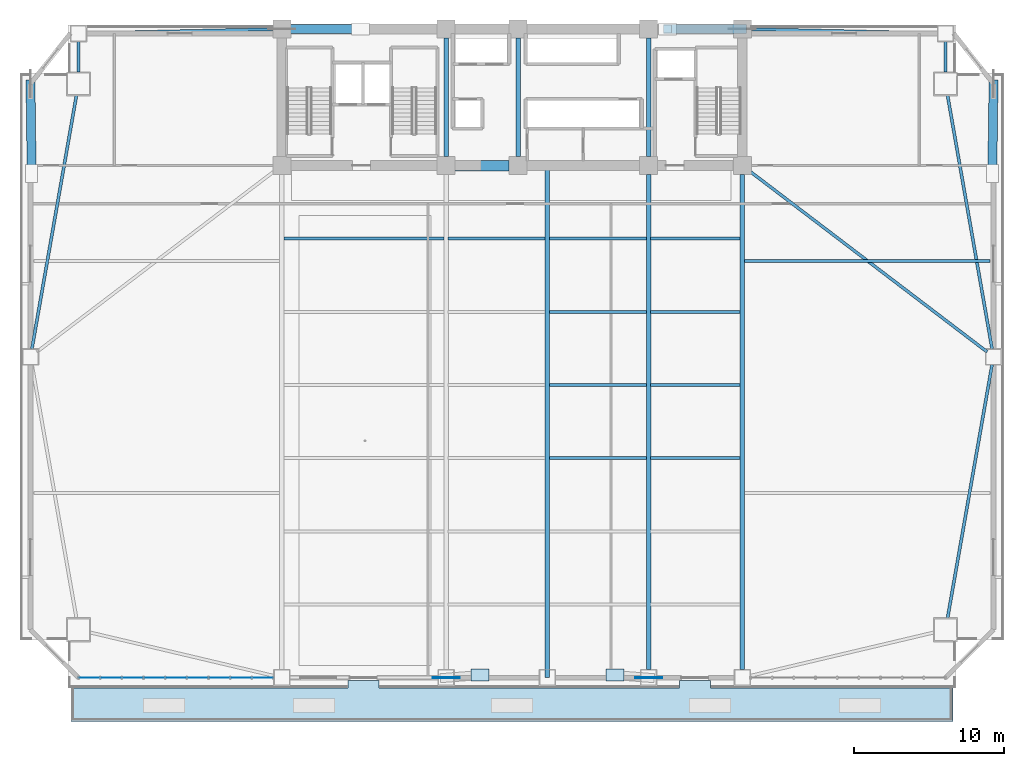
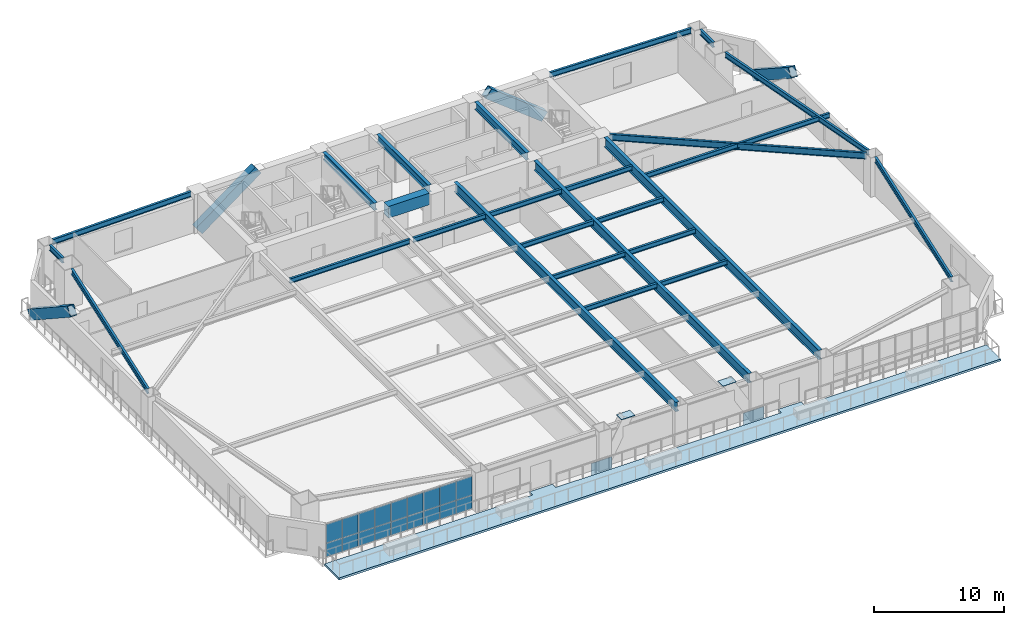
# One storey, part 7 of 17: 26 beams, 22 plates, 4 members, 1 slab, 1 element without a shape of its own.
"""IFC4 building model written with IfcOpenShell, lengths in metres."""

from ifc_helpers import new_model, si_unit, direction, frame, origin, origin_2d, place, context, subcontext, project, spatial, polyline, rectangle, hollow_rectangle, i_section, outline, extrude, source, transform, mapped, material, layer, layer_set, material_profile, profile_set, type_object, element, aggregate, save


model = new_model("IFC4")

# Units and contexts
model_context = context("Model", 3, precision=1e-05, world=origin(), true_north=direction((0.0, 1.0)))
body_context = subcontext(model_context, "Body", "Model", "MODEL_VIEW")
ifc_project = project(units=[si_unit("LENGTHUNIT", "METRE"), si_unit("AREAUNIT", "SQUARE_METRE"), si_unit("VOLUMEUNIT", "CUBIC_METRE"), si_unit("PLANEANGLEUNIT", "RADIAN"), si_unit("MASSUNIT", "GRAM", prefix="KILO")], contexts=[model_context])

# Site, building, storey
site_placement = place(None, origin())
site = spatial("IfcSite", under=ifc_project, at=site_placement, CompositionType="ELEMENT")
building_placement = place(site_placement, origin())
building = spatial("IfcBuilding", under=site, at=building_placement, Name="Giltprow Tower", CompositionType="ELEMENT")
storey_placement = place(building_placement, frame((0.0, 0.0, 25.39990234375)))
storey = spatial("IfcBuildingStorey", under=building, at=storey_placement, Name="L06", CompositionType="ELEMENT", Elevation=25.39990234375)

# Beams
ifc_material_1 = material(Name="Concrete C60", Category="concrete")
ifc_material_profile_1 = material_profile(ifc_material_1, rectangle(XDim=0.699951171875, YDim=1.10009765625, at=origin_2d()), Name="RC 1100x700")
ifc_profile_set_1 = profile_set([ifc_material_profile_1], Name="Concrete C60")
beam_type_1 = type_object("IfcBeamType", Name="BM-CPL-RC1100", PredefinedType="LINTEL", material=ifc_profile_set_1)
shared_shape_1 = source(origin(), body_context, "Body", "SweptSolid", [
    extrude(rectangle(XDim=0.699951171875, YDim=1.10009765625, at=origin_2d()), origin(), (0.0, 0.0, 1.0), 3.6298828125),
])
beam_1_placement = place(storey_placement, frame((31.385009765625, 37.449951171875, 3.130126953125), z_axis=(1.0, 0.0, 0.0), x_axis=(0.0, 1.0, 0.0)))
element("IfcBeam", 1, at=beam_1_placement, inside=storey, type_object=beam_type_1, Name="L06 Core Coupling Beam CB-1", PredefinedType="LINTEL", context=body_context, shape_type="MappedRepresentation", body=[
    mapped(shared_shape_1, transform((0.0, 0.0, 0.0), x_axis=(1.0, 0.0, 0.0), y_axis=(0.0, 1.0, 0.0), z_axis=(0.0, 0.0, 1.0), scale=1.0)),
])
ifc_material_2 = material(Name="Structural steel Q355B", Category="steel")
ifc_material_profile_2 = material_profile(ifc_material_2, i_section(OverallWidth=0.300048828125, OverallDepth=0.699951171875, WebThickness=0.012939453125, FlangeThickness=0.02392578125, at=origin_2d()), Name="HN 700x300x13x24")
ifc_profile_set_2 = profile_set([ifc_material_profile_2], Name="Structural steel Q355B")
beam_type_2 = type_object("IfcBeamType", Name="BM-GIRD-HN700", PredefinedType="BEAM", material=ifc_profile_set_2)
shared_shape_2 = source(origin(), body_context, "Body", "SweptSolid", [
    extrude(i_section(OverallWidth=0.300048828125, OverallDepth=0.699951171875, WebThickness=0.012939453125, FlangeThickness=0.02392578125, at=origin_2d()), origin(), (0.0, 0.0, 1.0), 7.93017578125),
])
for number, where, z_axis, x_axis, name in (
    (2, (30.800048828125, 38.034912109375, 3.330078125), (0.0, 1.0, 0.0), (-1.0, 0.0, 0.0), "L06 Core Tie Girder M1"),
    (3, (35.60009765625, 38.034912109375, 3.330078125), (0.0, 1.0, 0.0), (-1.0, 0.0, 0.0), "L06 Core Tie Girder M2"),
    (4, (44.300048828125, 38.034912109375, 3.330078125), (0.0, 1.0, 0.0), (-1.0, 0.0, 0.0), "L06 Core Tie Girder M3"),
):
    element("IfcBeam", number, at=place(storey_placement, frame(where, z_axis=z_axis, x_axis=x_axis)), inside=storey, type_object=beam_type_2, Name=name, PredefinedType="BEAM", context=body_context, shape_type="MappedRepresentation", body=[
        mapped(shared_shape_2, transform((0.0, 0.0, 0.0), x_axis=(1.0, 0.0, 0.0), y_axis=(0.0, 1.0, 0.0), z_axis=(0.0, 0.0, 1.0), scale=1.0)),
    ])
ifc_material_profile_3 = material_profile(ifc_material_2, i_section(OverallWidth=0.199951171875, OverallDepth=0.5, WebThickness=0.010009765625, FlangeThickness=0.01611328125, at=origin_2d()), Name="HN 500x200x10x16")
ifc_profile_set_3 = profile_set([ifc_material_profile_3], Name="Structural steel Q355B")
beam_type_3 = type_object("IfcBeamType", Name="BM-SPAN-HN500", PredefinedType="SPANDREL", material=ifc_profile_set_3)
shared_shape_3 = source(origin(), body_context, "Body", "SweptSolid", [
    extrude(i_section(OverallWidth=0.199951171875, OverallDepth=0.5, WebThickness=0.010009765625, FlangeThickness=0.01611328125, at=origin_2d()), origin(), (0.0, 0.0, 1.0), 17.1591796875),
])
beam_2_placement = place(storey_placement, frame((64.236083984375, 7.27294921875, 3.43017578125), z_axis=(0.173139216532, 0.984897360997, 0.0), x_axis=(-0.984897360997, 0.173139216532, 0.0)))
element("IfcBeam", 5, at=beam_2_placement, inside=storey, type_object=beam_type_3, Name="L06 Perimeter Spandrel Beam MC_SE-E_MID", PredefinedType="SPANDREL", context=body_context, shape_type="MappedRepresentation", body=[
    mapped(shared_shape_3, transform((0.0, 0.0, 0.0), x_axis=(1.0, 0.0, 0.0), y_axis=(0.0, 1.0, 0.0), z_axis=(0.0, 0.0, 1.0), scale=1.0)),
])
shared_shape_4 = source(origin(), body_context, "Body", "SweptSolid", [
    extrude(i_section(OverallWidth=0.199951171875, OverallDepth=0.5, WebThickness=0.010009765625, FlangeThickness=0.01611328125, at=origin_2d()), origin(), (0.0, 0.0, 1.0), 17.158935546875),
])
for number, where, z_axis, x_axis, name in (
    (6, (67.20703125, 25.22705078125, 3.43017578125), (-0.173141642767, 0.984896934476, 0.0), (-0.984896934476, -0.173141642767, 0.0), "L06 Perimeter Spandrel Beam E_MID-MC_NE"),
    (7, (6.1640625, 42.126953125, 3.43017578125), (-0.173141642767, -0.984896934476, 0.0), (0.984896934476, -0.173141642767, 0.0), "L06 Perimeter Spandrel Beam MC_NW-W_MID"),
):
    element("IfcBeam", number, at=place(storey_placement, frame(where, z_axis=z_axis, x_axis=x_axis)), inside=storey, type_object=beam_type_3, Name=name, PredefinedType="SPANDREL", context=body_context, shape_type="MappedRepresentation", body=[
        mapped(shared_shape_4, transform((0.0, 0.0, 0.0), x_axis=(1.0, 0.0, 0.0), y_axis=(0.0, 1.0, 0.0), z_axis=(0.0, 0.0, 1.0), scale=1.0)),
    ])
shared_shape_5 = source(origin(), body_context, "Body", "SweptSolid", [
    extrude(i_section(OverallWidth=0.199951171875, OverallDepth=0.5, WebThickness=0.010009765625, FlangeThickness=0.01611328125, at=origin_2d()), origin(), (0.0, 0.0, 1.0), 2.030029296875),
])
for number, where, z_axis, x_axis, name in (
    (8, (64.10009765625, 43.68505859375, 3.43017578125), (0.0, 1.0, 0.0), (-1.0, 0.0, 0.0), "L06 Perimeter Spandrel Beam MC_NE-N_E"),
    (9, (6.300048828125, 45.715087890625, 3.43017578125), (0.0, -1.0, 0.0), (1.0, 0.0, 0.0), "L06 Perimeter Spandrel Beam N_W-MC_NW"),
):
    element("IfcBeam", number, at=place(storey_placement, frame(where, z_axis=z_axis, x_axis=x_axis)), inside=storey, type_object=beam_type_3, Name=name, PredefinedType="SPANDREL", context=body_context, shape_type="MappedRepresentation", body=[
        mapped(shared_shape_5, transform((0.0, 0.0, 0.0), x_axis=(1.0, 0.0, 0.0), y_axis=(0.0, 1.0, 0.0), z_axis=(0.0, 0.0, 1.0), scale=1.0)),
    ])
shared_shape_6 = source(origin(), body_context, "Body", "SweptSolid", [
    extrude(i_section(OverallWidth=0.199951171875, OverallDepth=0.5, WebThickness=0.010009765625, FlangeThickness=0.01611328125, at=origin_2d()), origin(), (0.0, 0.0, 1.0), 12.432861328125),
])
for number, where, z_axis, x_axis, name in (
    (10, (6.8349609375, 46.261962890625, 3.43017578125), (0.999755093171, 0.022130379078, 0.0), (-0.022130379078, 0.999755093171, 0.0), "L06 North Wing Spandrel W"),
    (11, (51.135009765625, 46.537109375, 3.43017578125), (0.999755093171, -0.022130379078, 0.0), (0.022130379078, 0.999755093171, 0.0), "L06 North Wing Spandrel E"),
):
    element("IfcBeam", number, at=place(storey_placement, frame(where, z_axis=z_axis, x_axis=x_axis)), inside=storey, type_object=beam_type_3, Name=name, PredefinedType="SPANDREL", context=body_context, shape_type="MappedRepresentation", body=[
        mapped(shared_shape_6, transform((0.0, 0.0, 0.0), x_axis=(1.0, 0.0, 0.0), y_axis=(0.0, 1.0, 0.0), z_axis=(0.0, 0.0, 1.0), scale=1.0)),
    ])
ifc_material_profile_4 = material_profile(ifc_material_2, i_section(OverallWidth=0.300048828125, OverallDepth=0.89990234375, WebThickness=0.01611328125, FlangeThickness=0.028076171875, at=origin_2d()), Name="HN 900x300x16x28")
ifc_profile_set_4 = profile_set([ifc_material_profile_4], Name="Structural steel Q355B")
beam_type_4 = type_object("IfcBeamType", Name="BM-GIRD-HN900", PredefinedType="BEAM", material=ifc_profile_set_4)
shared_shape_7 = source(origin(), body_context, "Body", "SweptSolid", [
    extrude(i_section(OverallWidth=0.300048828125, OverallDepth=0.89990234375, WebThickness=0.01611328125, FlangeThickness=0.028076171875, at=origin_2d()), origin(), (0.0, 0.0, 1.0), 33.030029296875),
])
for number, where, z_axis, x_axis, name in (
    (12, (44.300048828125, 3.8349609375, 3.22998046875), (0.0, 1.0, 0.0), (-1.0, 0.0, 0.0), "L06 Primary Lease Girder S3"),
    (13, (50.550048828125, 3.8349609375, 3.22998046875), (0.0, 1.0, 0.0), (-1.0, 0.0, 0.0), "L06 Primary Lease Girder S4"),
):
    element("IfcBeam", number, at=place(storey_placement, frame(where, z_axis=z_axis, x_axis=x_axis)), inside=storey, type_object=beam_type_4, Name=name, PredefinedType="BEAM", context=body_context, shape_type="MappedRepresentation", body=[
        mapped(shared_shape_7, transform((0.0, 0.0, 0.0), x_axis=(1.0, 0.0, 0.0), y_axis=(0.0, 1.0, 0.0), z_axis=(0.0, 0.0, 1.0), scale=1.0)),
    ])
shared_shape_8 = source(origin(), body_context, "Body", "SweptSolid", [
    extrude(i_section(OverallWidth=0.300048828125, OverallDepth=0.89990234375, WebThickness=0.01611328125, FlangeThickness=0.028076171875, at=origin_2d()), origin(), (0.0, 0.0, 1.0), 34.14990234375),
])
beam_3_placement = place(storey_placement, frame((37.550048828125, 3.300048828125, 3.22998046875), z_axis=(0.0, 1.0, 0.0), x_axis=(-1.0, 0.0, 0.0)))
element("IfcBeam", 14, at=beam_3_placement, inside=storey, type_object=beam_type_4, Name="L06 Central Lease Girder SMID", PredefinedType="BEAM", context=body_context, shape_type="MappedRepresentation", body=[
    mapped(shared_shape_8, transform((0.0, 0.0, 0.0), x_axis=(1.0, 0.0, 0.0), y_axis=(0.0, 1.0, 0.0), z_axis=(0.0, 0.0, 1.0), scale=1.0)),
])
ifc_material_profile_5 = material_profile(ifc_material_2, i_section(OverallWidth=0.199951171875, OverallDepth=0.60009765625, WebThickness=0.010986328125, FlangeThickness=0.01708984375, at=origin_2d()), Name="HN 600x200x11x17")
ifc_profile_set_5 = profile_set([ifc_material_profile_5], Name="Structural steel Q355B")
beam_type_5 = type_object("IfcBeamType", Name="BM-GIRD-HN600", PredefinedType="BEAM", material=ifc_profile_set_5)
shared_shape_9 = source(origin(), body_context, "Body", "SweptSolid", [
    extrude(i_section(OverallWidth=0.199951171875, OverallDepth=0.60009765625, WebThickness=0.010986328125, FlangeThickness=0.01708984375, at=origin_2d()), origin(), (0.0, 0.0, 1.0), 19.930908203125),
])
beam_4_placement = place(storey_placement, frame((66.8740234375, 25.02392578125, 3.380126953125), z_axis=(-0.795700739064, 0.605689965124, 0.0), x_axis=(-0.605689965124, -0.795700739064, 0.0)))
element("IfcBeam", 15, at=beam_4_placement, inside=storey, type_object=beam_type_5, Name="L06 East Wing Primary Girder", PredefinedType="BEAM", context=body_context, shape_type="MappedRepresentation", body=[
    mapped(shared_shape_9, transform((0.0, 0.0, 0.0), x_axis=(1.0, 0.0, 0.0), y_axis=(0.0, 1.0, 0.0), z_axis=(0.0, 0.0, 1.0), scale=1.0)),
])
ifc_material_profile_6 = material_profile(ifc_material_2, i_section(OverallWidth=0.199951171875, OverallDepth=0.449951171875, WebThickness=0.009033203125, FlangeThickness=0.013916015625, at=origin_2d()), Name="HN 450x200x9x14")
ifc_profile_set_6 = profile_set([ifc_material_profile_6], Name="Structural steel Q355B")
beam_type_6 = type_object("IfcBeamType", Name="BM-JOIST-HN450", PredefinedType="JOIST", material=ifc_profile_set_6)
shared_shape_10 = source(origin(), body_context, "Body", "SweptSolid", [
    extrude(i_section(OverallWidth=0.199951171875, OverallDepth=0.449951171875, WebThickness=0.009033203125, FlangeThickness=0.013916015625, at=origin_2d()), origin(), (0.0, 0.0, 1.0), 10.659912109375),
])
beam_5_placement = place(storey_placement, frame((19.9951171875, 32.571044921875, 3.455078125), z_axis=(1.0, 0.0, 0.0), x_axis=(0.0, 1.0, 0.0)))
element("IfcBeam", 16, at=beam_5_placement, inside=storey, type_object=beam_type_6, Name="L06 Composite Floor Joist 6-1", PredefinedType="JOIST", context=body_context, shape_type="MappedRepresentation", body=[
    mapped(shared_shape_10, transform((0.0, 0.0, 0.0), x_axis=(1.0, 0.0, 0.0), y_axis=(0.0, 1.0, 0.0), z_axis=(0.0, 0.0, 1.0), scale=1.0)),
])
shared_shape_11 = source(origin(), body_context, "Body", "SweptSolid", [
    extrude(i_section(OverallWidth=0.199951171875, OverallDepth=0.449951171875, WebThickness=0.009033203125, FlangeThickness=0.013916015625, at=origin_2d()), origin(), (0.0, 0.0, 1.0), 6.4599609375),
])
for number, where, z_axis, x_axis, name in (
    (17, (37.695068359375, 17.93603515625, 3.455078125), (1.0, 0.0, 0.0), (0.0, 1.0, 0.0), "L06 Composite Floor Joist 3-3"),
    (18, (37.695068359375, 22.81396484375, 3.455078125), (1.0, 0.0, 0.0), (0.0, 1.0, 0.0), "L06 Composite Floor Joist 4-3"),
    (19, (37.695068359375, 27.693115234375, 3.455078125), (1.0, 0.0, 0.0), (0.0, 1.0, 0.0), "L06 Composite Floor Joist 5-3"),
    (20, (30.945068359375, 32.571044921875, 3.455078125), (1.0, 0.0, 0.0), (0.0, 1.0, 0.0), "L06 Composite Floor Joist 6-2"),
    (21, (37.695068359375, 32.571044921875, 3.455078125), (1.0, 0.0, 0.0), (0.0, 1.0, 0.0), "L06 Composite Floor Joist 6-3"),
):
    element("IfcBeam", number, at=place(storey_placement, frame(where, z_axis=z_axis, x_axis=x_axis)), inside=storey, type_object=beam_type_6, Name=name, PredefinedType="JOIST", context=body_context, shape_type="MappedRepresentation", body=[
        mapped(shared_shape_11, transform((0.0, 0.0, 0.0), x_axis=(1.0, 0.0, 0.0), y_axis=(0.0, 1.0, 0.0), z_axis=(0.0, 0.0, 1.0), scale=1.0)),
    ])
shared_shape_12 = source(origin(), body_context, "Body", "SweptSolid", [
    extrude(i_section(OverallWidth=0.199951171875, OverallDepth=0.449951171875, WebThickness=0.009033203125, FlangeThickness=0.013916015625, at=origin_2d()), origin(), (0.0, 0.0, 1.0), 5.9599609375),
])
for number, where, z_axis, x_axis, name in (
    (22, (44.445068359375, 17.93603515625, 3.455078125), (1.0, 0.0, 0.0), (0.0, 1.0, 0.0), "L06 Composite Floor Joist 3-4"),
    (23, (44.445068359375, 22.81396484375, 3.455078125), (1.0, 0.0, 0.0), (0.0, 1.0, 0.0), "L06 Composite Floor Joist 4-4"),
    (24, (44.445068359375, 27.693115234375, 3.455078125), (1.0, 0.0, 0.0), (0.0, 1.0, 0.0), "L06 Composite Floor Joist 5-4"),
    (25, (44.445068359375, 32.571044921875, 3.455078125), (1.0, 0.0, 0.0), (0.0, 1.0, 0.0), "L06 Composite Floor Joist 6-4"),
):
    element("IfcBeam", number, at=place(storey_placement, frame(where, z_axis=z_axis, x_axis=x_axis)), inside=storey, type_object=beam_type_6, Name=name, PredefinedType="JOIST", context=body_context, shape_type="MappedRepresentation", body=[
        mapped(shared_shape_12, transform((0.0, 0.0, 0.0), x_axis=(1.0, 0.0, 0.0), y_axis=(0.0, 1.0, 0.0), z_axis=(0.0, 0.0, 1.0), scale=1.0)),
    ])
shared_shape_13 = source(origin(), body_context, "Body", "SweptSolid", [
    extrude(i_section(OverallWidth=0.199951171875, OverallDepth=0.449951171875, WebThickness=0.009033203125, FlangeThickness=0.013916015625, at=origin_2d()), origin(), (0.0, 0.0, 1.0), 16.385009765625),
])
beam_6_placement = place(storey_placement, frame((50.695068359375, 31.074951171875, 3.455078125), z_axis=(1.0, 0.0, 0.0), x_axis=(0.0, 1.0, 0.0)))
element("IfcBeam", 26, at=beam_6_placement, inside=storey, type_object=beam_type_6, Name="L06 East Wing Floor Joist 2", PredefinedType="JOIST", context=body_context, shape_type="MappedRepresentation", body=[
    mapped(shared_shape_13, transform((0.0, 0.0, 0.0), x_axis=(1.0, 0.0, 0.0), y_axis=(0.0, 1.0, 0.0), z_axis=(0.0, 0.0, 1.0), scale=1.0)),
])

# Members
ifc_material_3 = material(Name="Structural steel Q420GJC", Category="steel")
ifc_material_profile_7 = material_profile(ifc_material_3, hollow_rectangle(XDim=0.60009765625, YDim=0.89990234375, WallThickness=0.0400390625, at=origin_2d()), Name="RHS 900x600x40")
ifc_profile_set_7 = profile_set([ifc_material_profile_7], Name="Structural steel Q420GJC")
member_type = type_object("IfcMemberType", Name="MBR-MEGA-RHS900", PredefinedType="BRACE", material=ifc_profile_set_7)
shared_shape_14 = source(origin(), body_context, "Body", "SweptSolid", [
    extrude(hollow_rectangle(XDim=0.60009765625, YDim=0.89990234375, WallThickness=0.0400390625, at=origin_2d()), origin(), (0.0, 0.0, 1.0), 6.5400390625),
])
member_1_placement = place(storey_placement, frame((19.85009765625, 46.550048828125, -0.139892578125), z_axis=(0.802750995836, 0.0, 0.596314379068), x_axis=(0.0, 1.0, 0.0)))
element("IfcMember", 27, at=member_1_placement, inside=storey, type_object=member_type, Name="L06 Chevron Mega-Brace N-L", PredefinedType="BRACE", context=body_context, shape_type="MappedRepresentation", body=[
    mapped(shared_shape_14, transform((0.0, 0.0, 0.0), x_axis=(1.0, 0.0, 0.0), y_axis=(0.0, 1.0, 0.0), z_axis=(0.0, 0.0, 1.0), scale=1.0)),
])
shared_shape_15 = source(origin(), body_context, "Body", "SweptSolid", [
    extrude(hollow_rectangle(XDim=0.60009765625, YDim=0.89990234375, WallThickness=0.0400390625, at=origin_2d()), origin(), (0.0, 0.0, 1.0), 6.327880859375),
])
member_2_placement = place(storey_placement, frame((50.550048828125, 46.550048828125, -0.139892578125), z_axis=(-0.787501744349, 0.0, 0.616312422921), x_axis=(0.0, -1.0, 0.0)))
element("IfcMember", 28, at=member_2_placement, inside=storey, type_object=member_type, Name="L06 Chevron Mega-Brace N-R", PredefinedType="BRACE", context=body_context, shape_type="MappedRepresentation", body=[
    mapped(shared_shape_15, transform((0.0, 0.0, 0.0), x_axis=(1.0, 0.0, 0.0), y_axis=(0.0, 1.0, 0.0), z_axis=(0.0, 0.0, 1.0), scale=1.0)),
])
shared_shape_16 = source(origin(), body_context, "Body", "SweptSolid", [
    extrude(hollow_rectangle(XDim=0.60009765625, YDim=0.89990234375, WallThickness=0.0400390625, at=origin_2d()), origin(), (0.0, 0.0, 1.0), 7.138916015625),
])
for number, where, z_axis, x_axis, name in (
    (29, (3.10009765625, 42.89990234375, 0.0), (0.01090917118, -0.837509724766, 0.546313509724), (0.999915176041, 0.013024619892, 0.0), "L06 Chevron Mega-Brace W-R"),
    (30, (67.300048828125, 42.89990234375, 0.0), (-0.01094336512, -0.837509411825, 0.54631330559), (0.999914643464, -0.013065442463, 0.0), "L06 Chevron Mega-Brace E-R"),
):
    element("IfcMember", number, at=place(storey_placement, frame(where, z_axis=z_axis, x_axis=x_axis)), inside=storey, type_object=member_type, Name=name, PredefinedType="BRACE", context=body_context, shape_type="MappedRepresentation", body=[
        mapped(shared_shape_16, transform((0.0, 0.0, 0.0), x_axis=(1.0, 0.0, 0.0), y_axis=(0.0, 1.0, 0.0), z_axis=(0.0, 0.0, 1.0), scale=1.0)),
    ])

# Slab
ifc_material_4 = material(Name="Concrete C40", Category="concrete")
ifc_layer_1 = layer(ifc_material_4, 0.199951171875, Name="Concrete C40")
ifc_layer_set_1 = layer_set([ifc_layer_1], Name="Concrete C40")
slab_type = type_object("IfcSlabType", Name="SLB-TERR-EXT-200", PredefinedType="FLOOR", material=ifc_layer_set_1)
slab_placement = place(storey_placement, frame((0.0, 0.0, -0.199951171875)))
element("IfcSlab", 31, at=slab_placement, inside=storey, type_object=slab_type, Name="L06 Waterfront Podium Roof Terrace", PredefinedType="FLOOR", context=body_context, shape_type="SweptSolid", body=[
    extrude(outline(polyline([(64.60009765625, 2.60009765625), (64.60009765625, 0.39990234375), (5.800048828125, 0.39990234375), (5.800048828125, 2.60009765625), (24.280029296875, 2.60009765625), (24.280029296875, 3.10009765625), (26.320068359375, 3.10009765625), (26.320068359375, 2.60009765625), (46.3798828125, 2.60009765625), (46.3798828125, 3.10009765625), (48.419921875, 3.10009765625), (48.419921875, 2.60009765625), (64.60009765625, 2.60009765625)])), origin(), (0.0, 0.0, 1.0), 0.199951171875),
])

# Plates
plate_type_1 = type_object("IfcPlateType", Name="PLT-NODE-MBN1", PredefinedType="USERDEFINED", material=ifc_material_3)
shared_shape_17 = source(origin(), body_context, "Body", "SweptSolid", [
    extrude(rectangle(XDim=1.800048828125, YDim=0.050048828125, at=origin_2d()), origin(), (0.0, 0.0, 1.0), 1.14990234375),
])
for number, where, z_axis, x_axis, name in (
    (32, (30.800048828125, 3.300048828125, -0.574951171875), (0.0, 0.0, 1.0), (1.0, 0.0, 0.0), "Mega-Brace Node L06-S-LA"),
    (33, (44.300048828125, 3.300048828125, -0.574951171875), (0.0, 0.0, 1.0), (1.0, 0.0, 0.0), "Mega-Brace Node L06-S-RA"),
):
    element("IfcPlate", number, at=place(storey_placement, frame(where, z_axis=z_axis, x_axis=x_axis)), inside=storey, type_object=plate_type_1, Name=name, ObjectType="GUSSET", PredefinedType="USERDEFINED", context=body_context, shape_type="MappedRepresentation", body=[
        mapped(shared_shape_17, transform((0.0, 0.0, 0.0), x_axis=(1.0, 0.0, 0.0), y_axis=(0.0, 1.0, 0.0), z_axis=(0.0, 0.0, 1.0), scale=1.0)),
    ])
plate_type_2 = type_object("IfcPlateType", Name="PLT-CAP-SEAL", PredefinedType="USERDEFINED", material=ifc_material_3)
shared_shape_18 = source(origin(), body_context, "Body", "SweptSolid", [
    extrude(rectangle(XDim=1.199951171875, YDim=0.800048828125, at=origin_2d()), origin(), (0.0, 0.0, 1.0), 0.034912109375),
])
for number, where, z_axis, x_axis, name in (
    (34, (33.050048828125, 3.47607421875, 3.8828125), (0.0, 0.0, 1.0), (1.0, 0.0, 0.0), "Mega-Brace Node L06-S-LB"),
    (35, (42.050048828125, 3.47607421875, 3.8828125), (0.0, 0.0, 1.0), (1.0, 0.0, 0.0), "Mega-Brace Node L06-S-RB"),
):
    element("IfcPlate", number, at=place(storey_placement, frame(where, z_axis=z_axis, x_axis=x_axis)), inside=storey, type_object=plate_type_2, Name=name, ObjectType="SPLICE", PredefinedType="USERDEFINED", context=body_context, shape_type="MappedRepresentation", body=[
        mapped(shared_shape_18, transform((0.0, 0.0, 0.0), x_axis=(1.0, 0.0, 0.0), y_axis=(0.0, 1.0, 0.0), z_axis=(0.0, 0.0, 1.0), scale=1.0)),
    ])

# Curtain wall, plates
ifc_material_5 = material(Name="Anodized bronze", Category="metal")
ifc_layer_2 = layer(ifc_material_5, 0.179931640625, Name="Anodized bronze")
ifc_layer_set_2 = layer_set([ifc_layer_2], Name="Anodized bronze")
curtain_wall_type = type_object("IfcCurtainWallType", Name="CW-SKYGARDEN", PredefinedType="NOTDEFINED", material=ifc_layer_set_2)
curtain_wall_placement = place(storey_placement, origin())
curtain_wall = element("IfcCurtainWall", 36, at=curtain_wall_placement, inside=storey, type_object=curtain_wall_type, Name="L06 South Recessed Curtain Wall 1", PredefinedType="NOTDEFINED")
ifc_material_6 = material(Name="Insulated glass", Category="glass")
plate_type_3 = type_object("IfcPlateType", Name="CW-PANEL-IGU-28", PredefinedType="CURTAIN_PANEL", material=ifc_material_6)
shared_shape_19 = source(origin(), body_context, "Body", "SweptSolid", [
    extrude(rectangle(XDim=1.4140625, YDim=0.028076171875, at=origin_2d()), origin(), (0.0, 0.0, 1.0), 1.259033203125),
])
plate_1_placement = place(storey_placement, frame((7.02197265625, 3.300048828125, 0.0546875), z_axis=(0.0, 0.0, 1.0), x_axis=(1.0, 0.0, 0.0)))
plate_1 = element("IfcPlate", 37, at=plate_1_placement, type_object=plate_type_3, Name="L06 South Recessed Curtain Wall 1 Glazing Panel 1-1", PredefinedType="CURTAIN_PANEL", context=body_context, shape_type="MappedRepresentation", body=[
    mapped(shared_shape_19, transform((0.0, 0.0, 0.0), x_axis=(1.0, 0.0, 0.0), y_axis=(0.0, 1.0, 0.0), z_axis=(0.0, 0.0, 1.0), scale=1.0)),
])
plate_2_placement = place(storey_placement, frame((8.467041015625, 3.300048828125, 0.0546875), z_axis=(0.0, 0.0, 1.0), x_axis=(1.0, 0.0, 0.0)))
plate_2 = element("IfcPlate", 38, at=plate_2_placement, type_object=plate_type_3, Name="L06 South Recessed Curtain Wall 1 Glazing Panel 2-1", PredefinedType="CURTAIN_PANEL", context=body_context, shape_type="MappedRepresentation", body=[
    mapped(shared_shape_19, transform((0.0, 0.0, 0.0), x_axis=(1.0, 0.0, 0.0), y_axis=(0.0, 1.0, 0.0), z_axis=(0.0, 0.0, 1.0), scale=1.0)),
])
plate_3_placement = place(storey_placement, frame((9.910888671875, 3.300048828125, 0.0546875), z_axis=(0.0, 0.0, 1.0), x_axis=(1.0, 0.0, 0.0)))
plate_3 = element("IfcPlate", 39, at=plate_3_placement, type_object=plate_type_3, Name="L06 South Recessed Curtain Wall 1 Glazing Panel 3-1", PredefinedType="CURTAIN_PANEL", context=body_context, shape_type="MappedRepresentation", body=[
    mapped(shared_shape_19, transform((0.0, 0.0, 0.0), x_axis=(1.0, 0.0, 0.0), y_axis=(0.0, 1.0, 0.0), z_axis=(0.0, 0.0, 1.0), scale=1.0)),
])
plate_4_placement = place(storey_placement, frame((11.35595703125, 3.300048828125, 0.0546875), z_axis=(0.0, 0.0, 1.0), x_axis=(1.0, 0.0, 0.0)))
plate_4 = element("IfcPlate", 40, at=plate_4_placement, type_object=plate_type_3, Name="L06 South Recessed Curtain Wall 1 Glazing Panel 4-1", PredefinedType="CURTAIN_PANEL", context=body_context, shape_type="MappedRepresentation", body=[
    mapped(shared_shape_19, transform((0.0, 0.0, 0.0), x_axis=(1.0, 0.0, 0.0), y_axis=(0.0, 1.0, 0.0), z_axis=(0.0, 0.0, 1.0), scale=1.0)),
])
plate_5_placement = place(storey_placement, frame((12.800048828125, 3.300048828125, 0.0546875), z_axis=(0.0, 0.0, 1.0), x_axis=(1.0, 0.0, 0.0)))
plate_5 = element("IfcPlate", 41, at=plate_5_placement, type_object=plate_type_3, Name="L06 South Recessed Curtain Wall 1 Glazing Panel 5-1", PredefinedType="CURTAIN_PANEL", context=body_context, shape_type="MappedRepresentation", body=[
    mapped(shared_shape_19, transform((0.0, 0.0, 0.0), x_axis=(1.0, 0.0, 0.0), y_axis=(0.0, 1.0, 0.0), z_axis=(0.0, 0.0, 1.0), scale=1.0)),
])
plate_6_placement = place(storey_placement, frame((14.243896484375, 3.300048828125, 0.0546875), z_axis=(0.0, 0.0, 1.0), x_axis=(1.0, 0.0, 0.0)))
plate_6 = element("IfcPlate", 42, at=plate_6_placement, type_object=plate_type_3, Name="L06 South Recessed Curtain Wall 1 Glazing Panel 6-1", PredefinedType="CURTAIN_PANEL", context=body_context, shape_type="MappedRepresentation", body=[
    mapped(shared_shape_19, transform((0.0, 0.0, 0.0), x_axis=(1.0, 0.0, 0.0), y_axis=(0.0, 1.0, 0.0), z_axis=(0.0, 0.0, 1.0), scale=1.0)),
])
plate_7_placement = place(storey_placement, frame((15.68896484375, 3.300048828125, 0.0546875), z_axis=(0.0, 0.0, 1.0), x_axis=(1.0, 0.0, 0.0)))
plate_7 = element("IfcPlate", 43, at=plate_7_placement, type_object=plate_type_3, Name="L06 South Recessed Curtain Wall 1 Glazing Panel 7-1", PredefinedType="CURTAIN_PANEL", context=body_context, shape_type="MappedRepresentation", body=[
    mapped(shared_shape_19, transform((0.0, 0.0, 0.0), x_axis=(1.0, 0.0, 0.0), y_axis=(0.0, 1.0, 0.0), z_axis=(0.0, 0.0, 1.0), scale=1.0)),
])
plate_8_placement = place(storey_placement, frame((17.133056640625, 3.300048828125, 0.0546875), z_axis=(0.0, 0.0, 1.0), x_axis=(1.0, 0.0, 0.0)))
plate_8 = element("IfcPlate", 44, at=plate_8_placement, type_object=plate_type_3, Name="L06 South Recessed Curtain Wall 1 Glazing Panel 8-1", PredefinedType="CURTAIN_PANEL", context=body_context, shape_type="MappedRepresentation", body=[
    mapped(shared_shape_19, transform((0.0, 0.0, 0.0), x_axis=(1.0, 0.0, 0.0), y_axis=(0.0, 1.0, 0.0), z_axis=(0.0, 0.0, 1.0), scale=1.0)),
])
plate_9_placement = place(storey_placement, frame((18.577880859375, 3.300048828125, 0.0546875), z_axis=(0.0, 0.0, 1.0), x_axis=(1.0, 0.0, 0.0)))
plate_9 = element("IfcPlate", 45, at=plate_9_placement, type_object=plate_type_3, Name="L06 South Recessed Curtain Wall 1 Glazing Panel 9-1", PredefinedType="CURTAIN_PANEL", context=body_context, shape_type="MappedRepresentation", body=[
    mapped(shared_shape_19, transform((0.0, 0.0, 0.0), x_axis=(1.0, 0.0, 0.0), y_axis=(0.0, 1.0, 0.0), z_axis=(0.0, 0.0, 1.0), scale=1.0)),
])
shared_shape_20 = source(origin(), body_context, "Body", "SweptSolid", [
    extrude(rectangle(XDim=1.4140625, YDim=0.028076171875, at=origin_2d()), origin(), (0.0, 0.0, 1.0), 1.764892578125),
])
plate_10_placement = place(storey_placement, frame((7.02197265625, 3.300048828125, 1.3408203125), z_axis=(0.0, 0.0, 1.0), x_axis=(1.0, 0.0, 0.0)))
plate_10 = element("IfcPlate", 46, at=plate_10_placement, type_object=plate_type_3, Name="L06 South Recessed Curtain Wall 1 Glazing Panel 1-2", PredefinedType="CURTAIN_PANEL", context=body_context, shape_type="MappedRepresentation", body=[
    mapped(shared_shape_20, transform((0.0, 0.0, 0.0), x_axis=(1.0, 0.0, 0.0), y_axis=(0.0, 1.0, 0.0), z_axis=(0.0, 0.0, 1.0), scale=1.0)),
])
plate_11_placement = place(storey_placement, frame((8.467041015625, 3.300048828125, 1.3408203125), z_axis=(0.0, 0.0, 1.0), x_axis=(1.0, 0.0, 0.0)))
plate_11 = element("IfcPlate", 47, at=plate_11_placement, type_object=plate_type_3, Name="L06 South Recessed Curtain Wall 1 Glazing Panel 2-2", PredefinedType="CURTAIN_PANEL", context=body_context, shape_type="MappedRepresentation", body=[
    mapped(shared_shape_20, transform((0.0, 0.0, 0.0), x_axis=(1.0, 0.0, 0.0), y_axis=(0.0, 1.0, 0.0), z_axis=(0.0, 0.0, 1.0), scale=1.0)),
])
plate_12_placement = place(storey_placement, frame((9.910888671875, 3.300048828125, 1.3408203125), z_axis=(0.0, 0.0, 1.0), x_axis=(1.0, 0.0, 0.0)))
plate_12 = element("IfcPlate", 48, at=plate_12_placement, type_object=plate_type_3, Name="L06 South Recessed Curtain Wall 1 Glazing Panel 3-2", PredefinedType="CURTAIN_PANEL", context=body_context, shape_type="MappedRepresentation", body=[
    mapped(shared_shape_20, transform((0.0, 0.0, 0.0), x_axis=(1.0, 0.0, 0.0), y_axis=(0.0, 1.0, 0.0), z_axis=(0.0, 0.0, 1.0), scale=1.0)),
])
plate_13_placement = place(storey_placement, frame((11.35595703125, 3.300048828125, 1.3408203125), z_axis=(0.0, 0.0, 1.0), x_axis=(1.0, 0.0, 0.0)))
plate_13 = element("IfcPlate", 49, at=plate_13_placement, type_object=plate_type_3, Name="L06 South Recessed Curtain Wall 1 Glazing Panel 4-2", PredefinedType="CURTAIN_PANEL", context=body_context, shape_type="MappedRepresentation", body=[
    mapped(shared_shape_20, transform((0.0, 0.0, 0.0), x_axis=(1.0, 0.0, 0.0), y_axis=(0.0, 1.0, 0.0), z_axis=(0.0, 0.0, 1.0), scale=1.0)),
])
plate_14_placement = place(storey_placement, frame((12.800048828125, 3.300048828125, 1.3408203125), z_axis=(0.0, 0.0, 1.0), x_axis=(1.0, 0.0, 0.0)))
plate_14 = element("IfcPlate", 50, at=plate_14_placement, type_object=plate_type_3, Name="L06 South Recessed Curtain Wall 1 Glazing Panel 5-2", PredefinedType="CURTAIN_PANEL", context=body_context, shape_type="MappedRepresentation", body=[
    mapped(shared_shape_20, transform((0.0, 0.0, 0.0), x_axis=(1.0, 0.0, 0.0), y_axis=(0.0, 1.0, 0.0), z_axis=(0.0, 0.0, 1.0), scale=1.0)),
])
plate_15_placement = place(storey_placement, frame((14.243896484375, 3.300048828125, 1.3408203125), z_axis=(0.0, 0.0, 1.0), x_axis=(1.0, 0.0, 0.0)))
plate_15 = element("IfcPlate", 51, at=plate_15_placement, type_object=plate_type_3, Name="L06 South Recessed Curtain Wall 1 Glazing Panel 6-2", PredefinedType="CURTAIN_PANEL", context=body_context, shape_type="MappedRepresentation", body=[
    mapped(shared_shape_20, transform((0.0, 0.0, 0.0), x_axis=(1.0, 0.0, 0.0), y_axis=(0.0, 1.0, 0.0), z_axis=(0.0, 0.0, 1.0), scale=1.0)),
])
plate_16_placement = place(storey_placement, frame((15.68896484375, 3.300048828125, 1.3408203125), z_axis=(0.0, 0.0, 1.0), x_axis=(1.0, 0.0, 0.0)))
plate_16 = element("IfcPlate", 52, at=plate_16_placement, type_object=plate_type_3, Name="L06 South Recessed Curtain Wall 1 Glazing Panel 7-2", PredefinedType="CURTAIN_PANEL", context=body_context, shape_type="MappedRepresentation", body=[
    mapped(shared_shape_20, transform((0.0, 0.0, 0.0), x_axis=(1.0, 0.0, 0.0), y_axis=(0.0, 1.0, 0.0), z_axis=(0.0, 0.0, 1.0), scale=1.0)),
])
plate_17_placement = place(storey_placement, frame((17.133056640625, 3.300048828125, 1.3408203125), z_axis=(0.0, 0.0, 1.0), x_axis=(1.0, 0.0, 0.0)))
plate_17 = element("IfcPlate", 53, at=plate_17_placement, type_object=plate_type_3, Name="L06 South Recessed Curtain Wall 1 Glazing Panel 8-2", PredefinedType="CURTAIN_PANEL", context=body_context, shape_type="MappedRepresentation", body=[
    mapped(shared_shape_20, transform((0.0, 0.0, 0.0), x_axis=(1.0, 0.0, 0.0), y_axis=(0.0, 1.0, 0.0), z_axis=(0.0, 0.0, 1.0), scale=1.0)),
])
plate_18_placement = place(storey_placement, frame((18.577880859375, 3.300048828125, 1.3408203125), z_axis=(0.0, 0.0, 1.0), x_axis=(1.0, 0.0, 0.0)))
plate_18 = element("IfcPlate", 54, at=plate_18_placement, type_object=plate_type_3, Name="L06 South Recessed Curtain Wall 1 Glazing Panel 9-2", PredefinedType="CURTAIN_PANEL", context=body_context, shape_type="MappedRepresentation", body=[
    mapped(shared_shape_20, transform((0.0, 0.0, 0.0), x_axis=(1.0, 0.0, 0.0), y_axis=(0.0, 1.0, 0.0), z_axis=(0.0, 0.0, 1.0), scale=1.0)),
])
aggregate(curtain_wall, [plate_1, plate_10, plate_2, plate_11, plate_3, plate_12, plate_4, plate_13, plate_5, plate_14, plate_6, plate_15, plate_7, plate_16, plate_8, plate_17, plate_9, plate_18])

save(model, "model.ifc")
